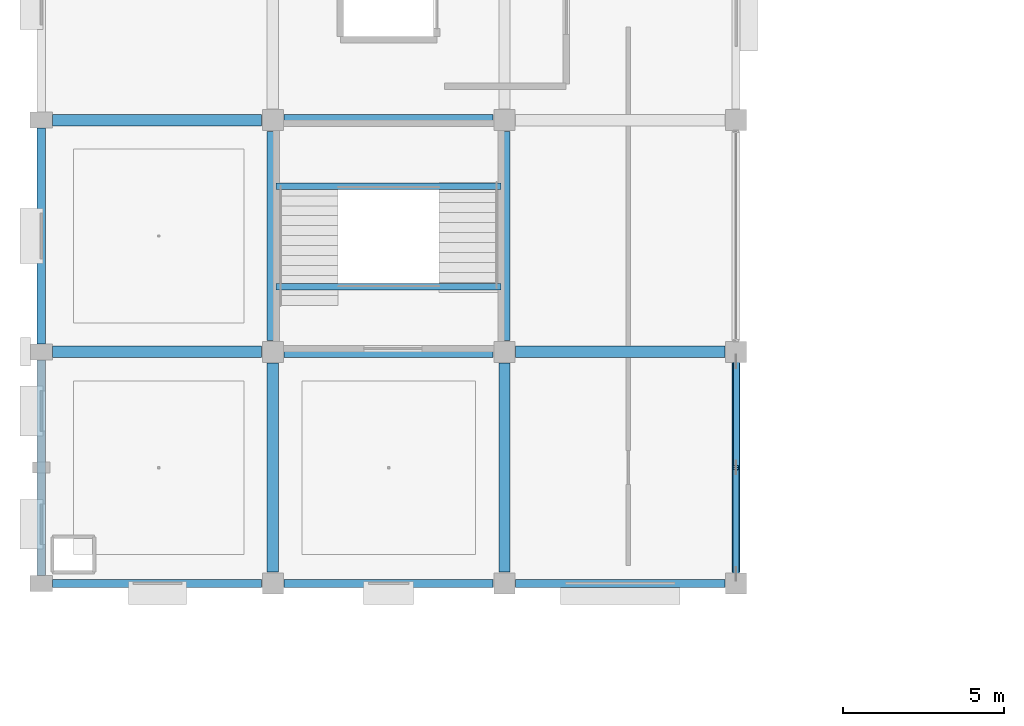
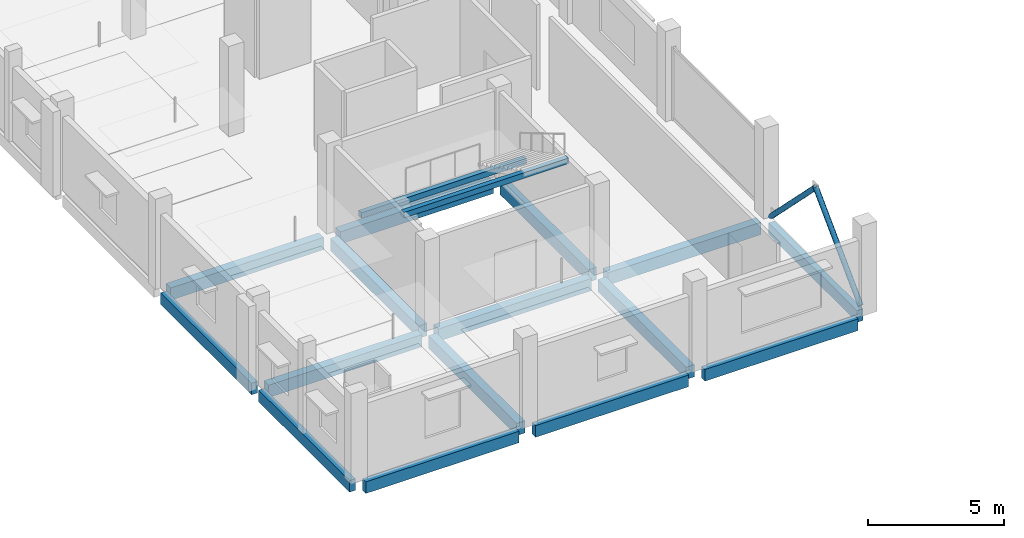
# One storey, part 3 of 59: 17 beams, 2 members.
"""IFC4 building model written with IfcOpenShell, lengths in metres."""

from ifc_helpers import new_model, si_unit, direction, frame, origin, origin_2d, place, context, subcontext, project, spatial, rectangle, hollow_circle, extrude, material, material_profile, profile_set, type_object, element, save


model = new_model("IFC4")

# Units and contexts
model_context = context("Model", 3, precision=1e-05, world=origin(), true_north=direction((0.0, 1.0)))
body_context = subcontext(model_context, "Body", "Model", "MODEL_VIEW")
ifc_project = project(units=[si_unit("LENGTHUNIT", "METRE"), si_unit("AREAUNIT", "SQUARE_METRE"), si_unit("VOLUMEUNIT", "CUBIC_METRE"), si_unit("PLANEANGLEUNIT", "RADIAN"), si_unit("MASSUNIT", "GRAM", prefix="KILO")], contexts=[model_context])

# Site, building, storey
site_placement = place(None, origin())
site = spatial("IfcSite", under=ifc_project, at=site_placement, CompositionType="ELEMENT")
building_placement = place(site_placement, origin())
building = spatial("IfcBuilding", under=site, at=building_placement, Name="Kangsadwip Square Police Headquarters", CompositionType="ELEMENT")
storey_placement = place(building_placement, frame((0.0, 0.0, 21.60009765625)))
storey = spatial("IfcBuildingStorey", under=building, at=storey_placement, Name="L05", CompositionType="ELEMENT", Elevation=21.60009765625)

# Beams
ifc_material_1 = material(Name="Concrete M35 (35 MPa)", Category="concrete")
ifc_material_profile_1 = material_profile(ifc_material_1, rectangle(XDim=0.35009765625, YDim=0.550048828125, at=origin_2d()), Name="RC BM 550X350")
ifc_profile_set_1 = profile_set([ifc_material_profile_1], Name="Concrete M35 (35 MPa)")
beam_type_1 = type_object("IfcBeamType", Name="RcBeam550x350", PredefinedType="BEAM", material=ifc_profile_set_1)
for number, where, z_axis, x_axis, name in (
    (1, (0.35009765625, 43.199951171875, -0.4951171875), (1.0, 0.0, 0.0), (0.0, 1.0, 0.0), "Beam BM-L05-X-00-06"),
    (2, (7.550048828125, 43.199951171875, -0.4951171875), (1.0, 0.0, 0.0), (0.0, 1.0, 0.0), "Beam BM-L05-X-01-06"),
    (3, (14.75, 43.199951171875, -0.4951171875), (1.0, 0.0, 0.0), (0.0, 1.0, 0.0), "Beam BM-L05-X-02-06"),
    (4, (0.35009765625, 50.39990234375, -0.4951171875), (1.0, 0.0, 0.0), (0.0, 1.0, 0.0), "Beam BM-L05-X-00-07"),
    (5, (7.550048828125, 50.39990234375, -0.4951171875), (1.0, 0.0, 0.0), (0.0, 1.0, 0.0), "Beam BM-L05-X-01-07"),
    (6, (7.199951171875, 36.35009765625, -0.4951171875), (0.0, 1.0, 0.0), (-1.0, 0.0, 0.0), "Beam BM-L05-Y-01-05"),
    (7, (7.199951171875, 43.550048828125, -0.4951171875), (0.0, 1.0, 0.0), (-1.0, 0.0, 0.0), "Beam BM-L05-Y-01-06"),
    (8, (14.39990234375, 36.35009765625, -0.4951171875), (0.0, 1.0, 0.0), (-1.0, 0.0, 0.0), "Beam BM-L05-Y-02-05"),
    (9, (14.39990234375, 43.550048828125, -0.4951171875), (0.0, 1.0, 0.0), (-1.0, 0.0, 0.0), "Beam BM-L05-Y-02-06"),
):
    element("IfcBeam", number, at=place(storey_placement, frame(where, z_axis=z_axis, x_axis=x_axis)), inside=storey, type_object=beam_type_1, Name=name, PredefinedType="BEAM", context=body_context, shape_type="SweptSolid", body=[
        extrude(rectangle(XDim=0.35009765625, YDim=0.550048828125, at=origin_2d()), origin(), (0.0, 0.0, 1.0), 6.5),
    ])
ifc_material_2 = material(Name="Concrete M30 (30 MPa)", Category="concrete")
ifc_material_profile_2 = material_profile(ifc_material_2, rectangle(XDim=0.199951171875, YDim=0.25, at=origin_2d()), Name="RC LNT 250X200")
ifc_profile_set_2 = profile_set([ifc_material_profile_2], Name="Concrete M30 (30 MPa)")
beam_type_2 = type_object("IfcBeamType", Name="RcLintel250x200", PredefinedType="LINTEL", material=ifc_profile_set_2)
for number, where, z_axis, x_axis, name in (
    (10, (7.300048828125, 48.340087890625, 1.80078125), (1.0, 0.0, 0.0), (0.0, 1.0, 0.0), "Stair Carriage and Landing Beam BM-ST-L05-014"),
    (11, (7.300048828125, 45.219970703125, 3.704833984375), (1.0, 0.0, 0.0), (0.0, 1.0, 0.0), "Stair Carriage and Landing Beam BM-ST-L05-015"),
):
    element("IfcBeam", number, at=place(storey_placement, frame(where, z_axis=z_axis, x_axis=x_axis)), inside=storey, type_object=beam_type_2, Name=name, PredefinedType="BEAM", context=body_context, shape_type="SweptSolid", body=[
        extrude(rectangle(XDim=0.199951171875, YDim=0.25, at=origin_2d()), origin(), (0.0, 0.0, 1.0), 7.0),
    ])
ifc_material_3 = material(Name="Concrete M35 (35 MPa)", Category="concrete")
ifc_material_profile_3 = material_profile(ifc_material_3, rectangle(XDim=0.25, YDim=0.52001953125, at=origin_2d()), Name="RC SPN 520X250")
ifc_profile_set_3 = profile_set([ifc_material_profile_3], Name="Concrete M35 (35 MPa)")
beam_type_3 = type_object("IfcBeamType", Name="RcSpandrel520x250", PredefinedType="SPANDREL", material=ifc_profile_set_3)
for number, where, z_axis, x_axis, name in (
    (12, (0.35009765625, 36.0, -0.47998046875), (1.0, 0.0, 0.0), (0.0, 1.0, 0.0), "Beam BM-L05-X-00-05"),
    (13, (7.550048828125, 36.0, -0.47998046875), (1.0, 0.0, 0.0), (0.0, 1.0, 0.0), "Beam BM-L05-X-01-05"),
    (14, (14.75, 36.0, -0.47998046875), (1.0, 0.0, 0.0), (0.0, 1.0, 0.0), "Beam BM-L05-X-02-05"),
):
    element("IfcBeam", number, at=place(storey_placement, frame(where, z_axis=z_axis, x_axis=x_axis)), inside=storey, type_object=beam_type_3, Name=name, PredefinedType="SPANDREL", context=body_context, shape_type="SweptSolid", body=[
        extrude(rectangle(XDim=0.25, YDim=0.52001953125, at=origin_2d()), origin(), (0.0, 0.0, 1.0), 6.5),
    ])
for number, where, z_axis, x_axis, name in (
    (15, (0.0, 36.25, -0.47998046875), (0.0, 1.0, 0.0), (-1.0, 0.0, 0.0), "Beam BM-L05-Y-00-05"),
    (16, (0.0, 43.449951171875, -0.47998046875), (0.0, 1.0, 0.0), (-1.0, 0.0, 0.0), "Beam BM-L05-Y-00-06"),
):
    element("IfcBeam", number, at=place(storey_placement, frame(where, z_axis=z_axis, x_axis=x_axis)), inside=storey, type_object=beam_type_3, Name=name, PredefinedType="SPANDREL", context=body_context, shape_type="SweptSolid", body=[
        extrude(rectangle(XDim=0.25, YDim=0.52001953125, at=origin_2d()), origin(), (0.0, 0.0, 1.0), 6.699951171875),
    ])
beam_placement = place(storey_placement, frame((21.60009765625, 36.35009765625, -0.47998046875), z_axis=(0.0, 1.0, 0.0), x_axis=(-1.0, 0.0, 0.0)))
element("IfcBeam", 17, at=beam_placement, inside=storey, type_object=beam_type_3, Name="Beam BM-L05-Y-03-05", PredefinedType="SPANDREL", context=body_context, shape_type="SweptSolid", body=[
    extrude(rectangle(XDim=0.25, YDim=0.52001953125, at=origin_2d()), origin(), (0.0, 0.0, 1.0), 6.5),
])

# Members
ifc_material_4 = material(Name="Structural steel IS 2062 E350 (Grade 350, 350 MPa)", Category="steel")
ifc_material_profile_4 = material_profile(ifc_material_4, hollow_circle(Radius=0.109619140625, WallThickness=0.010009765625, at=origin_2d()), Name="CHS 219X10")
ifc_profile_set_4 = profile_set([ifc_material_profile_4], Name="Structural steel IS 2062 E350 (Grade 350, 350 MPa)")
member_type = type_object("IfcMemberType", Name="TrussBraceChs219", PredefinedType="BRACE", material=ifc_profile_set_4)
for number, where, z_axis, x_axis, name in (
    (18, (21.60009765625, 36.300048828125, 0.0), (0.0, 0.706061308246, 0.708150710653), (-1.0, 0.0, 0.0), "Truss Member MEM-L05-0280"),
    (19, (21.60009765625, 42.89990234375, 0.0), (0.0, -0.706035112093, 0.708176828547), (1.0, 0.0, 0.0), "Truss Member MEM-L05-0281"),
):
    element("IfcMember", number, at=place(storey_placement, frame(where, z_axis=z_axis, x_axis=x_axis)), inside=storey, type_object=member_type, Name=name, PredefinedType="BRACE", context=body_context, shape_type="SweptSolid", body=[
        extrude(hollow_circle(Radius=0.109619140625, WallThickness=0.010009765625, at=origin_2d()), origin(), (0.0, 0.0, 1.0), 4.673828125),
    ])

save(model, "model.ifc")
